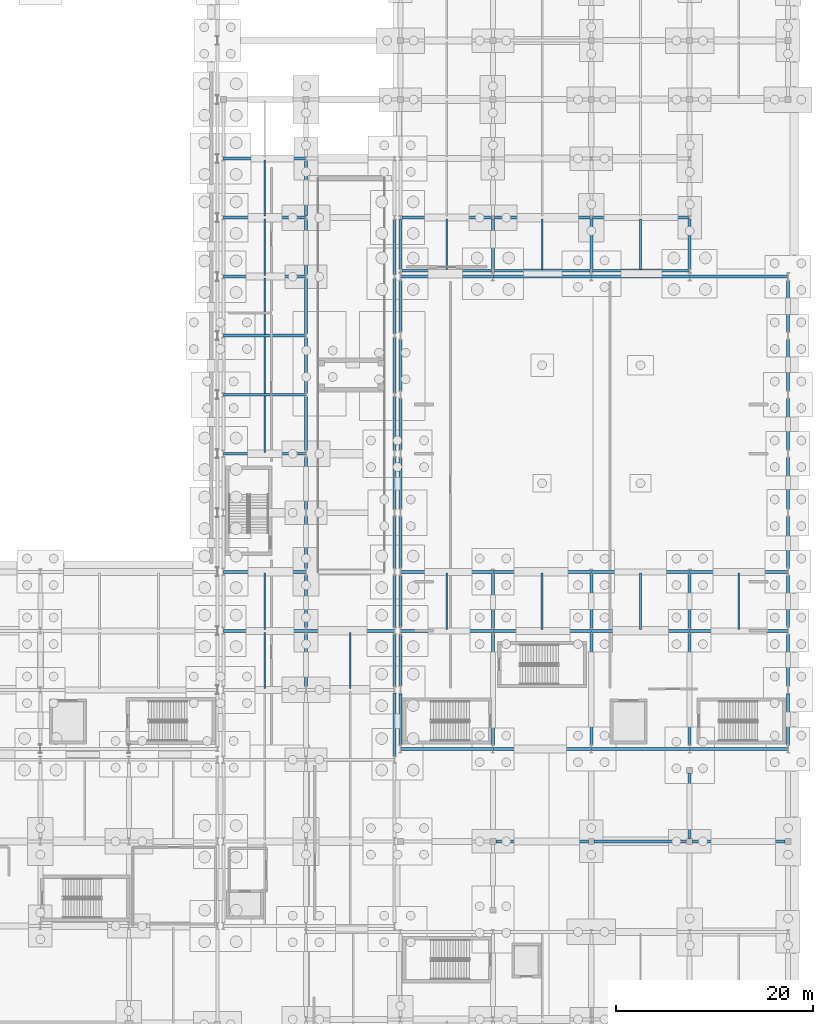
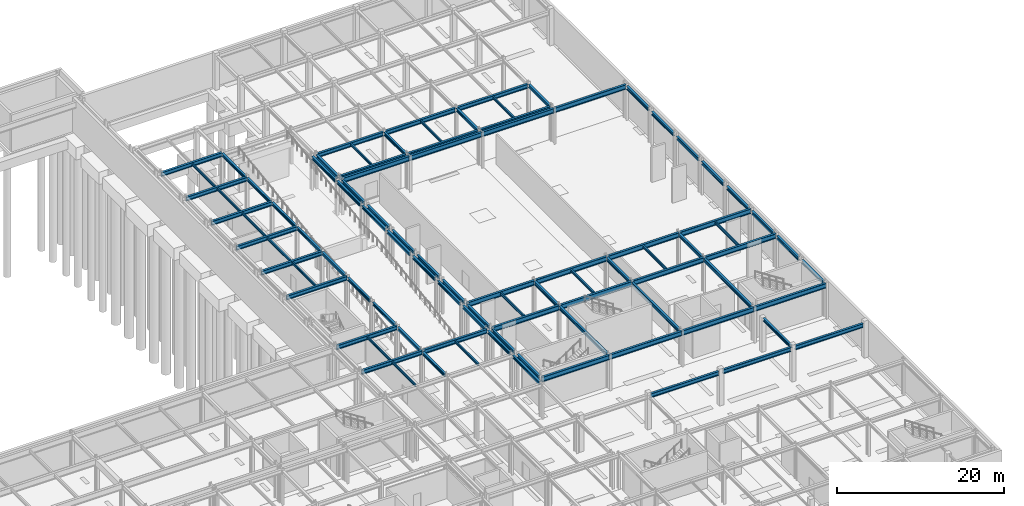
# One storey, part 38 of 65: 94 beams.
"""IFC4 building model written with IfcOpenShell, lengths in metres."""

from ifc_helpers import new_model, si_unit, direction, frame, origin, origin_2d, place, context, subcontext, project, spatial, i_section, extrude, material, material_profile, profile_set, type_object, element, save


model = new_model("IFC4")

# Units and contexts
model_context = context("Model", 3, precision=1e-05, world=origin(), true_north=direction((0.0, 1.0)))
body_context = subcontext(model_context, "Body", "Model", "MODEL_VIEW")
ifc_project = project(units=[si_unit("LENGTHUNIT", "METRE"), si_unit("AREAUNIT", "SQUARE_METRE"), si_unit("VOLUMEUNIT", "CUBIC_METRE"), si_unit("PLANEANGLEUNIT", "RADIAN"), si_unit("MASSUNIT", "GRAM", prefix="KILO")], contexts=[model_context])

# Site, building, storey
site_placement = place(None, origin())
site = spatial("IfcSite", under=ifc_project, at=site_placement, CompositionType="ELEMENT")
building_placement = place(site_placement, origin())
building = spatial("IfcBuilding", under=site, at=building_placement, Name="Kaldris Quays Convention Centre", CompositionType="ELEMENT")
storey_placement = place(building_placement, frame((0.0, 0.0, -5.39990234375)))
storey = spatial("IfcBuildingStorey", under=building, at=storey_placement, Name="B1", CompositionType="ELEMENT", Elevation=-5.39990234375)

# Beams
ifc_material = material(Name="Steel S355J2", Category="steel")
ifc_material_profile_1 = material_profile(ifc_material, i_section(OverallWidth=0.300048828125, OverallDepth=0.699951171875, WebThickness=0.01708984375, FlangeThickness=0.031982421875, FilletRadius=0.027099609375, at=origin_2d()), Name="HEB 700")
ifc_profile_set_1 = profile_set([ifc_material_profile_1], Name="Steel S355J2")
beam_type_1 = type_object("IfcBeamType", Name="STRUCTURAL BEAM BM04", PredefinedType="BEAM", material=ifc_profile_set_1)
beam_1_placement = place(storey_placement, frame((164.602783203125, 56.0, 4.73291015625), z_axis=(1.0, 0.0, 0.0), x_axis=(0.0, 1.0, 0.0)))
element("IfcBeam", 1, at=beam_1_placement, inside=storey, type_object=beam_type_1, Name="B1 Girder BM04 1", PredefinedType="BEAM", context=body_context, shape_type="SweptSolid", body=[
    extrude(i_section(OverallWidth=0.300048828125, OverallDepth=0.699951171875, WebThickness=0.01708984375, FlangeThickness=0.031982421875, FilletRadius=0.027099609375, at=origin_2d()), origin(), (0.0, 0.0, 1.0), 9.39453125),
])
for number, where, z_axis, x_axis, name in (
    (2, (174.002685546875, 56.0, 4.73291015625), (1.0, 0.0, 0.0), (0.0, 1.0, 0.0), "B1 Girder BM04 2"),
    (3, (184.002685546875, 56.0, 4.73291015625), (1.0, 0.0, 0.0), (0.0, 1.0, 0.0), "B1 Girder BM04 3"),
    (4, (194.002685546875, 56.0, 4.73291015625), (1.0, 0.0, 0.0), (0.0, 1.0, 0.0), "B1 Girder BM04 4"),
):
    element("IfcBeam", number, at=place(storey_placement, frame(where, z_axis=z_axis, x_axis=x_axis)), inside=storey, type_object=beam_type_1, Name=name, PredefinedType="BEAM", context=body_context, shape_type="SweptSolid", body=[
        extrude(i_section(OverallWidth=0.300048828125, OverallDepth=0.699951171875, WebThickness=0.01708984375, FlangeThickness=0.031982421875, FilletRadius=0.027099609375, at=origin_2d()), origin(), (0.0, 0.0, 1.0), 9.99462890625),
    ])
beam_2_placement = place(storey_placement, frame((164.602783203125, 68.0, 4.73291015625), z_axis=(1.0, 0.0, 0.0), x_axis=(0.0, 1.0, 0.0)))
element("IfcBeam", 5, at=beam_2_placement, inside=storey, type_object=beam_type_1, Name="B1 Girder BM04 5", PredefinedType="BEAM", context=body_context, shape_type="SweptSolid", body=[
    extrude(i_section(OverallWidth=0.300048828125, OverallDepth=0.699951171875, WebThickness=0.01708984375, FlangeThickness=0.031982421875, FilletRadius=0.027099609375, at=origin_2d()), origin(), (0.0, 0.0, 1.0), 9.39599609375),
])
for number, where, z_axis, x_axis, name in (
    (6, (174.001220703125, 68.0, 4.73291015625), (1.0, 0.0, 0.0), (0.0, 1.0, 0.0), "B1 Girder BM04 6"),
    (7, (184.001220703125, 68.0, 4.73291015625), (1.0, 0.0, 0.0), (0.0, 1.0, 0.0), "B1 Girder BM04 7"),
):
    element("IfcBeam", number, at=place(storey_placement, frame(where, z_axis=z_axis, x_axis=x_axis)), inside=storey, type_object=beam_type_1, Name=name, PredefinedType="BEAM", context=body_context, shape_type="SweptSolid", body=[
        extrude(i_section(OverallWidth=0.300048828125, OverallDepth=0.699951171875, WebThickness=0.01708984375, FlangeThickness=0.031982421875, FilletRadius=0.027099609375, at=origin_2d()), origin(), (0.0, 0.0, 1.0), 9.99755859375),
    ])
beam_3_placement = place(storey_placement, frame((194.001220703125, 68.0, 4.73291015625), z_axis=(1.0, 0.0, 0.0), x_axis=(0.0, 1.0, 0.0)))
element("IfcBeam", 8, at=beam_3_placement, inside=storey, type_object=beam_type_1, Name="B1 Girder BM04 8", PredefinedType="BEAM", context=body_context, shape_type="SweptSolid", body=[
    extrude(i_section(OverallWidth=0.300048828125, OverallDepth=0.699951171875, WebThickness=0.01708984375, FlangeThickness=0.031982421875, FilletRadius=0.027099609375, at=origin_2d()), origin(), (0.0, 0.0, 1.0), 9.99609375),
])
beam_4_placement = place(storey_placement, frame((164.602783203125, 74.0, 4.73291015625), z_axis=(1.0, 0.0, 0.0), x_axis=(0.0, 1.0, 0.0)))
element("IfcBeam", 9, at=beam_4_placement, inside=storey, type_object=beam_type_1, Name="B1 Girder BM04 9", PredefinedType="BEAM", context=body_context, shape_type="SweptSolid", body=[
    extrude(i_section(OverallWidth=0.300048828125, OverallDepth=0.699951171875, WebThickness=0.01708984375, FlangeThickness=0.031982421875, FilletRadius=0.027099609375, at=origin_2d()), origin(), (0.0, 0.0, 1.0), 9.39599609375),
])
for number, where, z_axis, x_axis, name in (
    (10, (174.001220703125, 74.0, 4.73291015625), (1.0, 0.0, 0.0), (0.0, 1.0, 0.0), "B1 Girder BM04 10"),
    (11, (184.001220703125, 74.0, 4.73291015625), (1.0, 0.0, 0.0), (0.0, 1.0, 0.0), "B1 Girder BM04 11"),
):
    element("IfcBeam", number, at=place(storey_placement, frame(where, z_axis=z_axis, x_axis=x_axis)), inside=storey, type_object=beam_type_1, Name=name, PredefinedType="BEAM", context=body_context, shape_type="SweptSolid", body=[
        extrude(i_section(OverallWidth=0.300048828125, OverallDepth=0.699951171875, WebThickness=0.01708984375, FlangeThickness=0.031982421875, FilletRadius=0.027099609375, at=origin_2d()), origin(), (0.0, 0.0, 1.0), 9.99755859375),
    ])
beam_5_placement = place(storey_placement, frame((194.001220703125, 74.0, 4.73291015625), z_axis=(1.0, 0.0, 0.0), x_axis=(0.0, 1.0, 0.0)))
element("IfcBeam", 12, at=beam_5_placement, inside=storey, type_object=beam_type_1, Name="B1 Girder BM04 12", PredefinedType="BEAM", context=body_context, shape_type="SweptSolid", body=[
    extrude(i_section(OverallWidth=0.300048828125, OverallDepth=0.699951171875, WebThickness=0.01708984375, FlangeThickness=0.031982421875, FilletRadius=0.027099609375, at=origin_2d()), origin(), (0.0, 0.0, 1.0), 9.99609375),
])
beam_6_placement = place(storey_placement, frame((164.602783203125, 104.0, 4.73291015625), z_axis=(1.0, 0.0, 0.0), x_axis=(0.0, 1.0, 0.0)))
element("IfcBeam", 13, at=beam_6_placement, inside=storey, type_object=beam_type_1, Name="B1 Girder BM04 13", PredefinedType="BEAM", context=body_context, shape_type="SweptSolid", body=[
    extrude(i_section(OverallWidth=0.300048828125, OverallDepth=0.699951171875, WebThickness=0.01708984375, FlangeThickness=0.031982421875, FilletRadius=0.027099609375, at=origin_2d()), origin(), (0.0, 0.0, 1.0), 9.39453125),
])
for number, where, z_axis, x_axis, name in (
    (14, (174.002685546875, 104.0, 4.73291015625), (1.0, 0.0, 0.0), (0.0, 1.0, 0.0), "B1 Girder BM04 14"),
    (15, (184.002685546875, 104.0, 4.73291015625), (1.0, 0.0, 0.0), (0.0, 1.0, 0.0), "B1 Girder BM04 15"),
    (16, (194.002685546875, 104.0, 4.73291015625), (1.0, 0.0, 0.0), (0.0, 1.0, 0.0), "B1 Girder BM04 16"),
):
    element("IfcBeam", number, at=place(storey_placement, frame(where, z_axis=z_axis, x_axis=x_axis)), inside=storey, type_object=beam_type_1, Name=name, PredefinedType="BEAM", context=body_context, shape_type="SweptSolid", body=[
        extrude(i_section(OverallWidth=0.300048828125, OverallDepth=0.699951171875, WebThickness=0.01708984375, FlangeThickness=0.031982421875, FilletRadius=0.027099609375, at=origin_2d()), origin(), (0.0, 0.0, 1.0), 9.99462890625),
    ])
ifc_material_profile_2 = material_profile(ifc_material, i_section(OverallWidth=0.300048828125, OverallDepth=0.60009765625, WebThickness=0.015380859375, FlangeThickness=0.030029296875, FilletRadius=0.027099609375, at=origin_2d()), Name="HEB 600")
ifc_profile_set_2 = profile_set([ifc_material_profile_2], Name="Steel S355J2")
beam_type_2 = type_object("IfcBeamType", Name="STRUCTURAL BEAM BM05", PredefinedType="BEAM", material=ifc_profile_set_2)
for number, where, z_axis, x_axis, name in (
    (17, (174.2939453125, 46.60009765625, 4.697998046875), (1.0, 0.0, 0.0), (0.0, 1.0, 0.0), "B1 Girder BM05 34"),
    (18, (184.2939453125, 46.60009765625, 4.697998046875), (1.0, 0.0, 0.0), (0.0, 1.0, 0.0), "B1 Girder BM05 35"),
    (19, (194.2939453125, 46.60009765625, 4.697998046875), (1.0, 0.0, 0.0), (0.0, 1.0, 0.0), "B1 Girder BM05 36"),
):
    element("IfcBeam", number, at=place(storey_placement, frame(where, z_axis=z_axis, x_axis=x_axis)), inside=storey, type_object=beam_type_2, Name=name, PredefinedType="BEAM", context=body_context, shape_type="SweptSolid", body=[
        extrude(i_section(OverallWidth=0.300048828125, OverallDepth=0.60009765625, WebThickness=0.015380859375, FlangeThickness=0.030029296875, FilletRadius=0.027099609375, at=origin_2d()), origin(), (0.0, 0.0, 1.0), 9.412109375),
    ])
beam_7_placement = place(storey_placement, frame((146.6025390625, 68.0, 4.802978515625), z_axis=(1.0, 0.0, 0.0), x_axis=(0.0, 1.0, 0.0)))
element("IfcBeam", 20, at=beam_7_placement, inside=storey, type_object=beam_type_2, Name="B1 Girder BM05 54", PredefinedType="BEAM", context=body_context, shape_type="SweptSolid", body=[
    extrude(i_section(OverallWidth=0.300048828125, OverallDepth=0.60009765625, WebThickness=0.015380859375, FlangeThickness=0.030029296875, FilletRadius=0.027099609375, at=origin_2d()), origin(), (0.0, 0.0, 1.0), 8.39501953125),
])
beam_8_placement = place(storey_placement, frame((155.00244140625, 68.0, 4.802978515625), z_axis=(1.0, 0.0, 0.0), x_axis=(0.0, 1.0, 0.0)))
element("IfcBeam", 21, at=beam_8_placement, inside=storey, type_object=beam_type_2, Name="B1 Girder BM05 55", PredefinedType="BEAM", context=body_context, shape_type="SweptSolid", body=[
    extrude(i_section(OverallWidth=0.300048828125, OverallDepth=0.60009765625, WebThickness=0.015380859375, FlangeThickness=0.030029296875, FilletRadius=0.027099609375, at=origin_2d()), origin(), (0.0, 0.0, 1.0), 8.9951171875),
])
for number, where, z_axis, x_axis, name in (
    (22, (146.6025390625, 74.0, 4.802978515625), (1.0, 0.0, 0.0), (0.0, 1.0, 0.0), "B1 Girder BM05 56"),
    (23, (146.6025390625, 86.0, 4.802978515625), (1.0, 0.0, 0.0), (0.0, 1.0, 0.0), "B1 Girder BM05 57"),
):
    element("IfcBeam", number, at=place(storey_placement, frame(where, z_axis=z_axis, x_axis=x_axis)), inside=storey, type_object=beam_type_2, Name=name, PredefinedType="BEAM", context=body_context, shape_type="SweptSolid", body=[
        extrude(i_section(OverallWidth=0.300048828125, OverallDepth=0.60009765625, WebThickness=0.015380859375, FlangeThickness=0.030029296875, FilletRadius=0.027099609375, at=origin_2d()), origin(), (0.0, 0.0, 1.0), 8.39501953125),
    ])
for number, where, z_axis, x_axis, name in (
    (24, (146.600830078125, 92.0, 4.802978515625), (1.0, 0.0, 0.0), (0.0, 1.0, 0.0), "B1 Girder BM05 58"),
    (25, (146.600830078125, 98.0, 4.802978515625), (1.0, 0.0, 0.0), (0.0, 1.0, 0.0), "B1 Girder BM05 59"),
    (26, (146.600830078125, 104.0, 4.802978515625), (1.0, 0.0, 0.0), (0.0, 1.0, 0.0), "B1 Girder BM05 60"),
):
    element("IfcBeam", number, at=place(storey_placement, frame(where, z_axis=z_axis, x_axis=x_axis)), inside=storey, type_object=beam_type_2, Name=name, PredefinedType="BEAM", context=body_context, shape_type="SweptSolid", body=[
        extrude(i_section(OverallWidth=0.300048828125, OverallDepth=0.60009765625, WebThickness=0.015380859375, FlangeThickness=0.030029296875, FilletRadius=0.027099609375, at=origin_2d()), origin(), (0.0, 0.0, 1.0), 8.3984375),
    ])
beam_9_placement = place(storey_placement, frame((164.743896484375, 104.60009765625, 4.747802734375), z_axis=(1.0, 0.0, 0.0), x_axis=(0.0, 1.0, 0.0)))
element("IfcBeam", 27, at=beam_9_placement, inside=storey, type_object=beam_type_2, Name="B1 Girder BM05 61", PredefinedType="BEAM", context=body_context, shape_type="SweptSolid", body=[
    extrude(i_section(OverallWidth=0.300048828125, OverallDepth=0.60009765625, WebThickness=0.015380859375, FlangeThickness=0.030029296875, FilletRadius=0.027099609375, at=origin_2d()), origin(), (0.0, 0.0, 1.0), 9.112060546875),
])
for number, where, z_axis, x_axis, name in (
    (28, (174.14404296875, 104.60009765625, 4.747802734375), (1.0, 0.0, 0.0), (0.0, 1.0, 0.0), "B1 Girder BM05 62"),
    (29, (184.14404296875, 104.60009765625, 4.747802734375), (1.0, 0.0, 0.0), (0.0, 1.0, 0.0), "B1 Girder BM05 63"),
):
    element("IfcBeam", number, at=place(storey_placement, frame(where, z_axis=z_axis, x_axis=x_axis)), inside=storey, type_object=beam_type_2, Name=name, PredefinedType="BEAM", context=body_context, shape_type="SweptSolid", body=[
        extrude(i_section(OverallWidth=0.300048828125, OverallDepth=0.60009765625, WebThickness=0.015380859375, FlangeThickness=0.030029296875, FilletRadius=0.027099609375, at=origin_2d()), origin(), (0.0, 0.0, 1.0), 9.7119140625),
    ])
beam_10_placement = place(storey_placement, frame((146.600830078125, 110.0, 4.747802734375), z_axis=(1.0, 0.0, 0.0), x_axis=(0.0, 1.0, 0.0)))
element("IfcBeam", 30, at=beam_10_placement, inside=storey, type_object=beam_type_2, Name="B1 Girder BM05 64", PredefinedType="BEAM", context=body_context, shape_type="SweptSolid", body=[
    extrude(i_section(OverallWidth=0.300048828125, OverallDepth=0.60009765625, WebThickness=0.015380859375, FlangeThickness=0.030029296875, FilletRadius=0.027099609375, at=origin_2d()), origin(), (0.0, 0.0, 1.0), 8.3984375),
])
beam_11_placement = place(storey_placement, frame((164.743896484375, 110.0, 4.747802734375), z_axis=(1.0, 0.0, 0.0), x_axis=(0.0, 1.0, 0.0)))
element("IfcBeam", 31, at=beam_11_placement, inside=storey, type_object=beam_type_2, Name="B1 Girder BM05 65", PredefinedType="BEAM", context=body_context, shape_type="SweptSolid", body=[
    extrude(i_section(OverallWidth=0.300048828125, OverallDepth=0.60009765625, WebThickness=0.015380859375, FlangeThickness=0.030029296875, FilletRadius=0.027099609375, at=origin_2d()), origin(), (0.0, 0.0, 1.0), 9.112060546875),
])
for number, where, z_axis, x_axis, name in (
    (32, (174.14404296875, 110.0, 4.747802734375), (1.0, 0.0, 0.0), (0.0, 1.0, 0.0), "B1 Girder BM05 66"),
    (33, (184.14404296875, 110.0, 4.747802734375), (1.0, 0.0, 0.0), (0.0, 1.0, 0.0), "B1 Girder BM05 67"),
):
    element("IfcBeam", number, at=place(storey_placement, frame(where, z_axis=z_axis, x_axis=x_axis)), inside=storey, type_object=beam_type_2, Name=name, PredefinedType="BEAM", context=body_context, shape_type="SweptSolid", body=[
        extrude(i_section(OverallWidth=0.300048828125, OverallDepth=0.60009765625, WebThickness=0.015380859375, FlangeThickness=0.030029296875, FilletRadius=0.027099609375, at=origin_2d()), origin(), (0.0, 0.0, 1.0), 9.7119140625),
    ])
beam_12_placement = place(storey_placement, frame((146.600830078125, 116.0, 4.697998046875), z_axis=(1.0, 0.0, 0.0), x_axis=(0.0, 1.0, 0.0)))
element("IfcBeam", 34, at=beam_12_placement, inside=storey, type_object=beam_type_2, Name="B1 Girder BM05 68", PredefinedType="BEAM", context=body_context, shape_type="SweptSolid", body=[
    extrude(i_section(OverallWidth=0.300048828125, OverallDepth=0.60009765625, WebThickness=0.015380859375, FlangeThickness=0.030029296875, FilletRadius=0.027099609375, at=origin_2d()), origin(), (0.0, 0.0, 1.0), 8.3984375),
])
ifc_material_profile_3 = material_profile(ifc_material, i_section(OverallWidth=0.300048828125, OverallDepth=0.5, WebThickness=0.014404296875, FlangeThickness=0.028076171875, FilletRadius=0.027099609375, at=origin_2d()), Name="HEB 500")
ifc_profile_set_3 = profile_set([ifc_material_profile_3], Name="Steel S355J2")
beam_type_3 = type_object("IfcBeamType", Name="STRUCTURAL BEAM BM06", PredefinedType="BEAM", material=ifc_profile_set_3)
for number, where, z_axis, x_axis, name in (
    (35, (164.60009765625, 56.39404296875, 4.8330078125), (0.0, 1.0, 0.0), (-1.0, 0.0, 0.0), "B1 Girder BM06 17"),
    (36, (164.60009765625, 62.39404296875, 4.8330078125), (0.0, 1.0, 0.0), (-1.0, 0.0, 0.0), "B1 Girder BM06 18"),
    (37, (164.60009765625, 68.39404296875, 4.8330078125), (0.0, 1.0, 0.0), (-1.0, 0.0, 0.0), "B1 Girder BM06 19"),
    (38, (164.60009765625, 74.39404296875, 4.8330078125), (0.0, 1.0, 0.0), (-1.0, 0.0, 0.0), "B1 Girder BM06 20"),
    (39, (164.60009765625, 80.39404296875, 4.8330078125), (0.0, 1.0, 0.0), (-1.0, 0.0, 0.0), "B1 Girder BM06 21"),
    (40, (164.60009765625, 86.39404296875, 4.8330078125), (0.0, 1.0, 0.0), (-1.0, 0.0, 0.0), "B1 Girder BM06 22"),
    (41, (164.60009765625, 92.39404296875, 4.8330078125), (0.0, 1.0, 0.0), (-1.0, 0.0, 0.0), "B1 Girder BM06 23"),
    (42, (164.60009765625, 98.39404296875, 4.8330078125), (0.0, 1.0, 0.0), (-1.0, 0.0, 0.0), "B1 Girder BM06 24"),
):
    element("IfcBeam", number, at=place(storey_placement, frame(where, z_axis=z_axis, x_axis=x_axis)), inside=storey, type_object=beam_type_3, Name=name, PredefinedType="BEAM", context=body_context, shape_type="SweptSolid", body=[
        extrude(i_section(OverallWidth=0.300048828125, OverallDepth=0.5, WebThickness=0.014404296875, FlangeThickness=0.028076171875, FilletRadius=0.027099609375, at=origin_2d()), origin(), (0.0, 0.0, 1.0), 5.2119140625),
    ])
beam_13_placement = place(storey_placement, frame((174.0, 56.39404296875, 4.8330078125), z_axis=(0.0, 1.0, 0.0), x_axis=(-1.0, 0.0, 0.0)))
element("IfcBeam", 43, at=beam_13_placement, inside=storey, type_object=beam_type_3, Name="B1 Girder BM06 25", PredefinedType="BEAM", context=body_context, shape_type="SweptSolid", body=[
    extrude(i_section(OverallWidth=0.300048828125, OverallDepth=0.5, WebThickness=0.014404296875, FlangeThickness=0.028076171875, FilletRadius=0.027099609375, at=origin_2d()), origin(), (0.0, 0.0, 1.0), 11.362060546875),
])
beam_14_placement = place(storey_placement, frame((174.0, 68.243896484375, 4.8330078125), z_axis=(0.0, 1.0, 0.0), x_axis=(-1.0, 0.0, 0.0)))
element("IfcBeam", 44, at=beam_14_placement, inside=storey, type_object=beam_type_3, Name="B1 Girder BM06 26", PredefinedType="BEAM", context=body_context, shape_type="SweptSolid", body=[
    extrude(i_section(OverallWidth=0.300048828125, OverallDepth=0.5, WebThickness=0.014404296875, FlangeThickness=0.028076171875, FilletRadius=0.027099609375, at=origin_2d()), origin(), (0.0, 0.0, 1.0), 5.51220703125),
])
beam_15_placement = place(storey_placement, frame((184.0, 56.39404296875, 4.8330078125), z_axis=(0.0, 1.0, 0.0), x_axis=(-1.0, 0.0, 0.0)))
element("IfcBeam", 45, at=beam_15_placement, inside=storey, type_object=beam_type_3, Name="B1 Girder BM06 27", PredefinedType="BEAM", context=body_context, shape_type="SweptSolid", body=[
    extrude(i_section(OverallWidth=0.300048828125, OverallDepth=0.5, WebThickness=0.014404296875, FlangeThickness=0.028076171875, FilletRadius=0.027099609375, at=origin_2d()), origin(), (0.0, 0.0, 1.0), 11.362060546875),
])
beam_16_placement = place(storey_placement, frame((184.0, 68.243896484375, 4.8330078125), z_axis=(0.0, 1.0, 0.0), x_axis=(-1.0, 0.0, 0.0)))
element("IfcBeam", 46, at=beam_16_placement, inside=storey, type_object=beam_type_3, Name="B1 Girder BM06 28", PredefinedType="BEAM", context=body_context, shape_type="SweptSolid", body=[
    extrude(i_section(OverallWidth=0.300048828125, OverallDepth=0.5, WebThickness=0.014404296875, FlangeThickness=0.028076171875, FilletRadius=0.027099609375, at=origin_2d()), origin(), (0.0, 0.0, 1.0), 5.51220703125),
])
beam_17_placement = place(storey_placement, frame((194.0, 56.39404296875, 4.8330078125), z_axis=(0.0, 1.0, 0.0), x_axis=(-1.0, 0.0, 0.0)))
element("IfcBeam", 47, at=beam_17_placement, inside=storey, type_object=beam_type_3, Name="B1 Girder BM06 29", PredefinedType="BEAM", context=body_context, shape_type="SweptSolid", body=[
    extrude(i_section(OverallWidth=0.300048828125, OverallDepth=0.5, WebThickness=0.014404296875, FlangeThickness=0.028076171875, FilletRadius=0.027099609375, at=origin_2d()), origin(), (0.0, 0.0, 1.0), 11.362060546875),
])
beam_18_placement = place(storey_placement, frame((194.0, 68.243896484375, 4.8330078125), z_axis=(0.0, 1.0, 0.0), x_axis=(-1.0, 0.0, 0.0)))
element("IfcBeam", 48, at=beam_18_placement, inside=storey, type_object=beam_type_3, Name="B1 Girder BM06 30", PredefinedType="BEAM", context=body_context, shape_type="SweptSolid", body=[
    extrude(i_section(OverallWidth=0.300048828125, OverallDepth=0.5, WebThickness=0.014404296875, FlangeThickness=0.028076171875, FilletRadius=0.027099609375, at=origin_2d()), origin(), (0.0, 0.0, 1.0), 5.51220703125),
])
for number, where, z_axis, x_axis, name in (
    (49, (204.0, 56.39404296875, 4.8330078125), (0.0, 1.0, 0.0), (-1.0, 0.0, 0.0), "B1 Girder BM06 31"),
    (50, (204.0, 62.39404296875, 4.747802734375), (0.0, 1.0, 0.0), (-1.0, 0.0, 0.0), "B1 Girder BM06 32"),
    (51, (204.0, 68.39404296875, 4.747802734375), (0.0, 1.0, 0.0), (-1.0, 0.0, 0.0), "B1 Girder BM06 33"),
    (52, (204.0, 74.39404296875, 4.747802734375), (0.0, 1.0, 0.0), (-1.0, 0.0, 0.0), "B1 Girder BM06 34"),
    (53, (204.0, 80.39404296875, 4.747802734375), (0.0, 1.0, 0.0), (-1.0, 0.0, 0.0), "B1 Girder BM06 35"),
    (54, (204.0, 86.39404296875, 4.747802734375), (0.0, 1.0, 0.0), (-1.0, 0.0, 0.0), "B1 Girder BM06 36"),
    (55, (204.0, 92.39404296875, 4.747802734375), (0.0, 1.0, 0.0), (-1.0, 0.0, 0.0), "B1 Girder BM06 37"),
    (56, (204.0, 98.39404296875, 4.8330078125), (0.0, 1.0, 0.0), (-1.0, 0.0, 0.0), "B1 Girder BM06 38"),
):
    element("IfcBeam", number, at=place(storey_placement, frame(where, z_axis=z_axis, x_axis=x_axis)), inside=storey, type_object=beam_type_3, Name=name, PredefinedType="BEAM", context=body_context, shape_type="SweptSolid", body=[
        extrude(i_section(OverallWidth=0.300048828125, OverallDepth=0.5, WebThickness=0.014404296875, FlangeThickness=0.028076171875, FilletRadius=0.027099609375, at=origin_2d()), origin(), (0.0, 0.0, 1.0), 5.2119140625),
    ])
ifc_material_profile_4 = material_profile(ifc_material, i_section(OverallWidth=0.300048828125, OverallDepth=0.449951171875, WebThickness=0.013916015625, FlangeThickness=0.02587890625, FilletRadius=0.027099609375, at=origin_2d()), Name="HEB 450")
ifc_profile_set_4 = profile_set([ifc_material_profile_4], Name="Steel S355J2")
beam_type_4 = type_object("IfcBeamType", Name="STRUCTURAL BEAM BM07", PredefinedType="BEAM", material=ifc_profile_set_4)
for number, where, z_axis, x_axis, name in (
    (57, (155.0, 62.343994140625, 4.8779296875), (0.0, 1.0, 0.0), (-1.0, 0.0, 0.0), "B1 Girder BM07 130"),
    (58, (155.0, 68.343994140625, 4.8779296875), (0.0, 1.0, 0.0), (-1.0, 0.0, 0.0), "B1 Girder BM07 131"),
    (59, (155.0, 74.343994140625, 4.8779296875), (0.0, 1.0, 0.0), (-1.0, 0.0, 0.0), "B1 Girder BM07 132"),
    (60, (155.0, 80.343994140625, 4.8779296875), (0.0, 1.0, 0.0), (-1.0, 0.0, 0.0), "B1 Girder BM07 133"),
):
    element("IfcBeam", number, at=place(storey_placement, frame(where, z_axis=z_axis, x_axis=x_axis)), inside=storey, type_object=beam_type_4, Name=name, PredefinedType="BEAM", context=body_context, shape_type="SweptSolid", body=[
        extrude(i_section(OverallWidth=0.300048828125, OverallDepth=0.449951171875, WebThickness=0.013916015625, FlangeThickness=0.02587890625, FilletRadius=0.027099609375, at=origin_2d()), origin(), (0.0, 0.0, 1.0), 5.31201171875),
    ])
beam_19_placement = place(storey_placement, frame((155.0, 86.343994140625, 4.8779296875), z_axis=(0.0, 1.0, 0.0), x_axis=(-1.0, 0.0, 0.0)))
element("IfcBeam", 61, at=beam_19_placement, inside=storey, type_object=beam_type_4, Name="B1 Girder BM07 134", PredefinedType="BEAM", context=body_context, shape_type="SweptSolid", body=[
    extrude(i_section(OverallWidth=0.300048828125, OverallDepth=0.449951171875, WebThickness=0.013916015625, FlangeThickness=0.02587890625, FilletRadius=0.027099609375, at=origin_2d()), origin(), (0.0, 0.0, 1.0), 5.4619140625),
])
for number, where, z_axis, x_axis, name in (
    (62, (155.0, 92.194091796875, 4.8779296875), (0.0, 1.0, 0.0), (-1.0, 0.0, 0.0), "B1 Girder BM07 135"),
    (63, (155.0, 98.194091796875, 4.8779296875), (0.0, 1.0, 0.0), (-1.0, 0.0, 0.0), "B1 Girder BM07 136"),
    (64, (155.0, 104.194091796875, 4.822998046875), (0.0, 1.0, 0.0), (-1.0, 0.0, 0.0), "B1 Girder BM07 137"),
    (65, (155.0, 110.194091796875, 4.77294921875), (0.0, 1.0, 0.0), (-1.0, 0.0, 0.0), "B1 Girder BM07 138"),
):
    element("IfcBeam", number, at=place(storey_placement, frame(where, z_axis=z_axis, x_axis=x_axis)), inside=storey, type_object=beam_type_4, Name=name, PredefinedType="BEAM", context=body_context, shape_type="SweptSolid", body=[
        extrude(i_section(OverallWidth=0.300048828125, OverallDepth=0.449951171875, WebThickness=0.013916015625, FlangeThickness=0.02587890625, FilletRadius=0.027099609375, at=origin_2d()), origin(), (0.0, 0.0, 1.0), 5.61181640625),
    ])
beam_20_placement = place(storey_placement, frame((164.0, 55.243896484375, 4.8779296875), z_axis=(0.0, 1.0, 0.0), x_axis=(-1.0, 0.0, 0.0)))
element("IfcBeam", 66, at=beam_20_placement, inside=storey, type_object=beam_type_4, Name="B1 Girder BM07 142", PredefinedType="BEAM", context=body_context, shape_type="SweptSolid", body=[
    extrude(i_section(OverallWidth=0.300048828125, OverallDepth=0.449951171875, WebThickness=0.013916015625, FlangeThickness=0.02587890625, FilletRadius=0.027099609375, at=origin_2d()), origin(), (0.0, 0.0, 1.0), 6.412109375),
])
for number, where, z_axis, x_axis, name in (
    (67, (164.0, 62.343994140625, 4.8779296875), (0.0, 1.0, 0.0), (-1.0, 0.0, 0.0), "B1 Girder BM07 143"),
    (68, (164.0, 68.343994140625, 4.8779296875), (0.0, 1.0, 0.0), (-1.0, 0.0, 0.0), "B1 Girder BM07 144"),
    (69, (164.0, 74.343994140625, 4.8779296875), (0.0, 1.0, 0.0), (-1.0, 0.0, 0.0), "B1 Girder BM07 145"),
    (70, (164.0, 80.343994140625, 4.8779296875), (0.0, 1.0, 0.0), (-1.0, 0.0, 0.0), "B1 Girder BM07 146"),
):
    element("IfcBeam", number, at=place(storey_placement, frame(where, z_axis=z_axis, x_axis=x_axis)), inside=storey, type_object=beam_type_4, Name=name, PredefinedType="BEAM", context=body_context, shape_type="SweptSolid", body=[
        extrude(i_section(OverallWidth=0.300048828125, OverallDepth=0.449951171875, WebThickness=0.013916015625, FlangeThickness=0.02587890625, FilletRadius=0.027099609375, at=origin_2d()), origin(), (0.0, 0.0, 1.0), 5.31201171875),
    ])
beam_21_placement = place(storey_placement, frame((164.0, 86.343994140625, 4.8779296875), z_axis=(0.0, 1.0, 0.0), x_axis=(-1.0, 0.0, 0.0)))
element("IfcBeam", 71, at=beam_21_placement, inside=storey, type_object=beam_type_4, Name="B1 Girder BM07 147", PredefinedType="BEAM", context=body_context, shape_type="SweptSolid", body=[
    extrude(i_section(OverallWidth=0.300048828125, OverallDepth=0.449951171875, WebThickness=0.013916015625, FlangeThickness=0.02587890625, FilletRadius=0.027099609375, at=origin_2d()), origin(), (0.0, 0.0, 1.0), 5.4619140625),
])
for number, where, z_axis, x_axis, name in (
    (72, (164.0, 92.194091796875, 4.8779296875), (0.0, 1.0, 0.0), (-1.0, 0.0, 0.0), "B1 Girder BM07 148"),
    (73, (164.0, 98.194091796875, 4.8779296875), (0.0, 1.0, 0.0), (-1.0, 0.0, 0.0), "B1 Girder BM07 149"),
    (74, (164.0, 104.194091796875, 4.822998046875), (0.0, 1.0, 0.0), (-1.0, 0.0, 0.0), "B1 Girder BM07 150"),
):
    element("IfcBeam", number, at=place(storey_placement, frame(where, z_axis=z_axis, x_axis=x_axis)), inside=storey, type_object=beam_type_4, Name=name, PredefinedType="BEAM", context=body_context, shape_type="SweptSolid", body=[
        extrude(i_section(OverallWidth=0.300048828125, OverallDepth=0.449951171875, WebThickness=0.013916015625, FlangeThickness=0.02587890625, FilletRadius=0.027099609375, at=origin_2d()), origin(), (0.0, 0.0, 1.0), 5.61181640625),
    ])
for number, where, z_axis, x_axis, name in (
    (75, (164.60009765625, 104.743896484375, 4.822998046875), (0.0, 1.0, 0.0), (-1.0, 0.0, 0.0), "B1 Girder BM07 152"),
    (76, (174.0, 104.743896484375, 4.822998046875), (0.0, 1.0, 0.0), (-1.0, 0.0, 0.0), "B1 Girder BM07 158"),
    (77, (184.0, 104.743896484375, 4.822998046875), (0.0, 1.0, 0.0), (-1.0, 0.0, 0.0), "B1 Girder BM07 163"),
):
    element("IfcBeam", number, at=place(storey_placement, frame(where, z_axis=z_axis, x_axis=x_axis)), inside=storey, type_object=beam_type_4, Name=name, PredefinedType="BEAM", context=body_context, shape_type="SweptSolid", body=[
        extrude(i_section(OverallWidth=0.300048828125, OverallDepth=0.449951171875, WebThickness=0.013916015625, FlangeThickness=0.02587890625, FilletRadius=0.027099609375, at=origin_2d()), origin(), (0.0, 0.0, 1.0), 5.08203125),
    ])
beam_22_placement = place(storey_placement, frame((194.0, 46.89404296875, 4.77294921875), z_axis=(0.0, 1.0, 0.0), x_axis=(-1.0, 0.0, 0.0)))
element("IfcBeam", 78, at=beam_22_placement, inside=storey, type_object=beam_type_4, Name="B1 Girder BM07 168", PredefinedType="BEAM", context=body_context, shape_type="SweptSolid", body=[
    extrude(i_section(OverallWidth=0.300048828125, OverallDepth=0.449951171875, WebThickness=0.013916015625, FlangeThickness=0.02587890625, FilletRadius=0.027099609375, at=origin_2d()), origin(), (0.0, 0.0, 1.0), 6.612060546875),
])
beam_23_placement = place(storey_placement, frame((194.0, 104.743896484375, 4.822998046875), z_axis=(0.0, 1.0, 0.0), x_axis=(-1.0, 0.0, 0.0)))
element("IfcBeam", 79, at=beam_23_placement, inside=storey, type_object=beam_type_4, Name="B1 Girder BM07 169", PredefinedType="BEAM", context=body_context, shape_type="SweptSolid", body=[
    extrude(i_section(OverallWidth=0.300048828125, OverallDepth=0.449951171875, WebThickness=0.013916015625, FlangeThickness=0.02587890625, FilletRadius=0.027099609375, at=origin_2d()), origin(), (0.0, 0.0, 1.0), 5.08203125),
])
ifc_material_profile_5 = material_profile(ifc_material, i_section(OverallWidth=0.179931640625, OverallDepth=0.39990234375, WebThickness=0.008544921875, FlangeThickness=0.013427734375, FilletRadius=0.02099609375, at=origin_2d()), Name="IPE 400")
ifc_profile_set_5 = profile_set([ifc_material_profile_5], Name="Steel S355J2")
beam_type_5 = type_object("IfcBeamType", Name="STRUCTURAL BEAM JT02", PredefinedType="JOIST", material=ifc_profile_set_5)
for number, where, z_axis, x_axis, name in (
    (80, (169.300048828125, 68.14404296875, 4.8828125), (0.0, 1.0, 0.0), (-1.0, 0.0, 0.0), "B1 Secondary Joist JT02 1"),
    (81, (179.0, 68.14404296875, 4.8828125), (0.0, 1.0, 0.0), (-1.0, 0.0, 0.0), "B1 Secondary Joist JT02 2"),
    (82, (189.0, 68.14404296875, 4.8828125), (0.0, 1.0, 0.0), (-1.0, 0.0, 0.0), "B1 Secondary Joist JT02 3"),
    (83, (199.0, 68.14404296875, 4.8828125), (0.0, 1.0, 0.0), (-1.0, 0.0, 0.0), "B1 Secondary Joist JT02 4"),
):
    element("IfcBeam", number, at=place(storey_placement, frame(where, z_axis=z_axis, x_axis=x_axis)), inside=storey, type_object=beam_type_5, Name=name, PredefinedType="JOIST", context=body_context, shape_type="SweptSolid", body=[
        extrude(i_section(OverallWidth=0.179931640625, OverallDepth=0.39990234375, WebThickness=0.008544921875, FlangeThickness=0.013427734375, FilletRadius=0.02099609375, at=origin_2d()), origin(), (0.0, 0.0, 1.0), 5.7119140625),
    ])
ifc_material_profile_6 = material_profile(ifc_material, i_section(OverallWidth=0.169921875, OverallDepth=0.360107421875, WebThickness=0.008056640625, FlangeThickness=0.0126953125, FilletRadius=0.01806640625, at=origin_2d()), Name="IPE 360")
ifc_profile_set_6 = profile_set([ifc_material_profile_6], Name="Steel S355J2")
beam_type_6 = type_object("IfcBeamType", Name="STRUCTURAL BEAM JT03", PredefinedType="JOIST", material=ifc_profile_set_6)
for number, where, z_axis, x_axis, name in (
    (84, (150.800048828125, 62.14404296875, 4.9228515625), (0.0, 1.0, 0.0), (-1.0, 0.0, 0.0), "B1 Secondary Joist JT03 28"),
    (85, (159.5, 62.14404296875, 4.9228515625), (0.0, 1.0, 0.0), (-1.0, 0.0, 0.0), "B1 Secondary Joist JT03 29"),
    (86, (150.800048828125, 68.14404296875, 4.9228515625), (0.0, 1.0, 0.0), (-1.0, 0.0, 0.0), "B1 Secondary Joist JT03 30"),
    (87, (150.800048828125, 86.14404296875, 4.9228515625), (0.0, 1.0, 0.0), (-1.0, 0.0, 0.0), "B1 Secondary Joist JT03 31"),
    (88, (150.800048828125, 92.14404296875, 4.9228515625), (0.0, 1.0, 0.0), (-1.0, 0.0, 0.0), "B1 Secondary Joist JT03 32"),
    (89, (150.800048828125, 98.14404296875, 4.9228515625), (0.0, 1.0, 0.0), (-1.0, 0.0, 0.0), "B1 Secondary Joist JT03 33"),
    (90, (150.800048828125, 104.14404296875, 4.867919921875), (0.0, 1.0, 0.0), (-1.0, 0.0, 0.0), "B1 Secondary Joist JT03 34"),
):
    element("IfcBeam", number, at=place(storey_placement, frame(where, z_axis=z_axis, x_axis=x_axis)), inside=storey, type_object=beam_type_6, Name=name, PredefinedType="JOIST", context=body_context, shape_type="SweptSolid", body=[
        extrude(i_section(OverallWidth=0.169921875, OverallDepth=0.360107421875, WebThickness=0.008056640625, FlangeThickness=0.0126953125, FilletRadius=0.01806640625, at=origin_2d()), origin(), (0.0, 0.0, 1.0), 5.7119140625),
    ])
for number, where, z_axis, x_axis, name in (
    (91, (169.300048828125, 104.743896484375, 4.867919921875), (0.0, 1.0, 0.0), (-1.0, 0.0, 0.0), "B1 Secondary Joist JT03 35"),
    (92, (179.0, 104.743896484375, 4.867919921875), (0.0, 1.0, 0.0), (-1.0, 0.0, 0.0), "B1 Secondary Joist JT03 36"),
    (93, (189.0, 104.743896484375, 4.867919921875), (0.0, 1.0, 0.0), (-1.0, 0.0, 0.0), "B1 Secondary Joist JT03 37"),
):
    element("IfcBeam", number, at=place(storey_placement, frame(where, z_axis=z_axis, x_axis=x_axis)), inside=storey, type_object=beam_type_6, Name=name, PredefinedType="JOIST", context=body_context, shape_type="SweptSolid", body=[
        extrude(i_section(OverallWidth=0.169921875, OverallDepth=0.360107421875, WebThickness=0.008056640625, FlangeThickness=0.0126953125, FilletRadius=0.01806640625, at=origin_2d()), origin(), (0.0, 0.0, 1.0), 5.112060546875),
    ])
beam_24_placement = place(storey_placement, frame((150.800048828125, 110.14404296875, 4.81787109375), z_axis=(0.0, 1.0, 0.0), x_axis=(-1.0, 0.0, 0.0)))
element("IfcBeam", 94, at=beam_24_placement, inside=storey, type_object=beam_type_6, Name="B1 Secondary Joist JT03 38", PredefinedType="JOIST", context=body_context, shape_type="SweptSolid", body=[
    extrude(i_section(OverallWidth=0.169921875, OverallDepth=0.360107421875, WebThickness=0.008056640625, FlangeThickness=0.0126953125, FilletRadius=0.01806640625, at=origin_2d()), origin(), (0.0, 0.0, 1.0), 5.7119140625),
])

save(model, "model.ifc")
